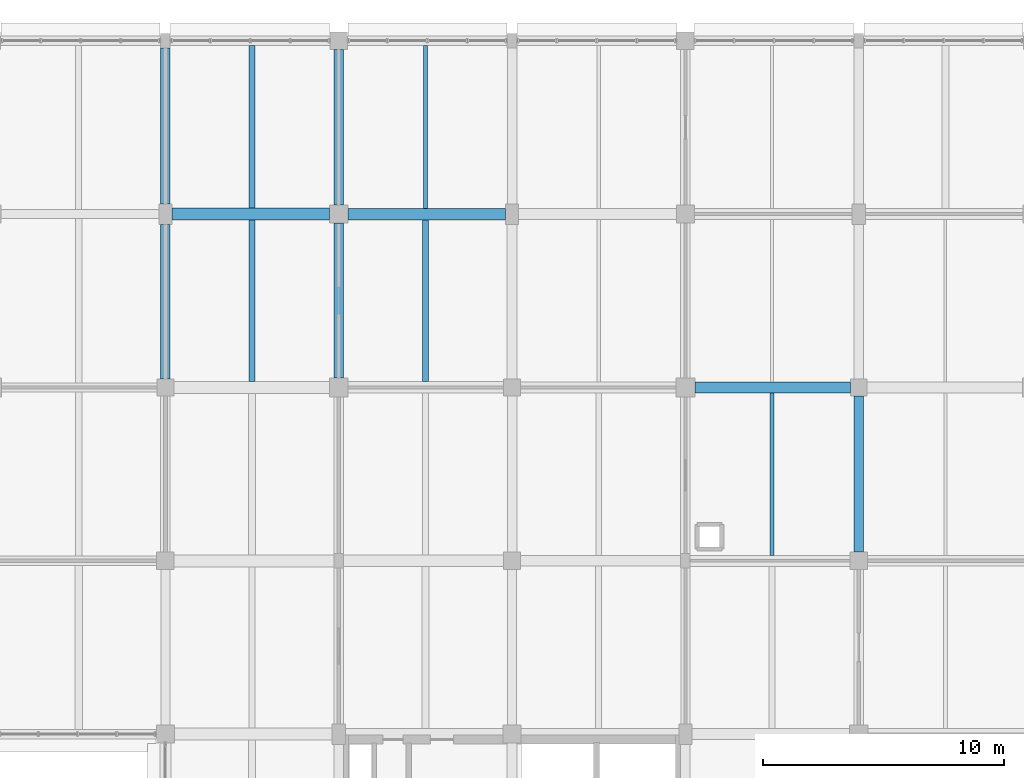
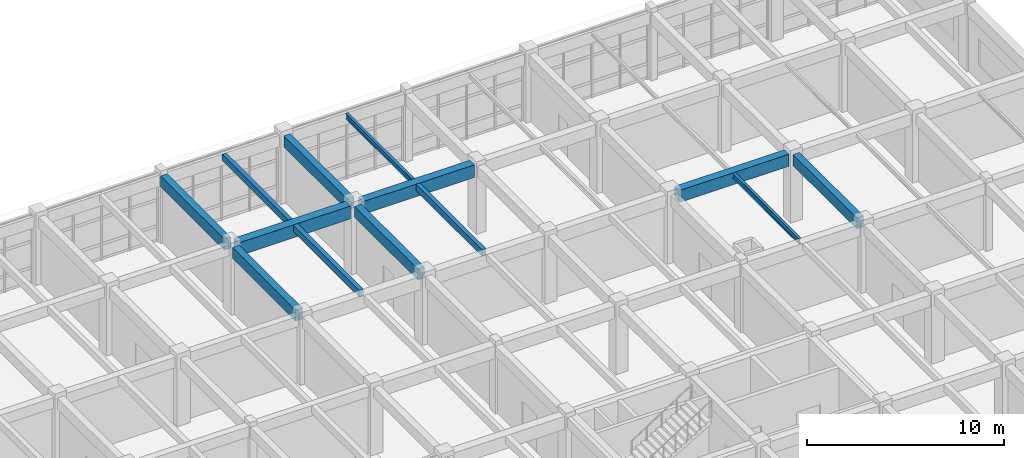
# One storey, part 111 of 171: 13 beams.
"""IFC4 building model written with IfcOpenShell, lengths in metres."""

from ifc_helpers import new_model, si_unit, direction, frame, origin, origin_2d, place, context, subcontext, project, spatial, rectangle, i_section, extrude, material, material_profile, profile_set, type_object, element, save


model = new_model("IFC4")

# Units and contexts
model_context = context("Model", 3, precision=1e-05, world=origin(), true_north=direction((0.0, 1.0)))
body_context = subcontext(model_context, "Body", "Model", "MODEL_VIEW")
ifc_project = project(units=[si_unit("LENGTHUNIT", "METRE"), si_unit("AREAUNIT", "SQUARE_METRE"), si_unit("VOLUMEUNIT", "CUBIC_METRE"), si_unit("PLANEANGLEUNIT", "RADIAN"), si_unit("MASSUNIT", "GRAM", prefix="KILO")], contexts=[model_context])

# Site, building, storey
site_placement = place(None, origin())
site = spatial("IfcSite", under=ifc_project, at=site_placement, CompositionType="ELEMENT")
building_placement = place(site_placement, origin())
building = spatial("IfcBuilding", under=site, at=building_placement, Name="Thalmaran Polytechnic", CompositionType="ELEMENT")
storey_placement = place(building_placement, frame((0.0, 0.0, 5.39990234375)))
storey = spatial("IfcBuildingStorey", under=building, at=storey_placement, Name="L01", CompositionType="ELEMENT", Elevation=5.39990234375)

# Beams
ifc_material_1 = material(Name="Concrete C40/50", Category="concrete")
ifc_material_profile_1 = material_profile(ifc_material_1, rectangle(XDim=0.5, YDim=0.800048828125, at=origin_2d()), Name="RC 500x800")
ifc_profile_set_1 = profile_set([ifc_material_profile_1], Name="Concrete C40/50")
beam_type_1 = type_object("IfcBeamType", Name="BM-RC02", PredefinedType="BEAM", material=ifc_profile_set_1)
beam_1_placement = place(storey_placement, frame((129.875, 115.199951171875, 3.81005859375), z_axis=(1.0, 0.0, 0.0), x_axis=(0.0, 1.0, 0.0)))
element("IfcBeam", 1, at=beam_1_placement, inside=storey, type_object=beam_type_1, Name="Grid Beam B02 L01 X(18,16)", PredefinedType="BEAM", context=body_context, shape_type="SweptSolid", body=[
    extrude(rectangle(XDim=0.5, YDim=0.800048828125, at=origin_2d()), origin(), (0.0, 0.0, 1.0), 6.550048828125),
])
ifc_material_profile_2 = material_profile(ifc_material_1, rectangle(XDim=0.389892578125, YDim=0.68505859375, at=origin_2d()), Name="RC 390x685")
ifc_profile_set_2 = profile_set([ifc_material_profile_2], Name="Concrete C40/50")
beam_type_2 = type_object("IfcBeamType", Name="BM-RC08", PredefinedType="BEAM", material=ifc_profile_set_2)
beam_2_placement = place(storey_placement, frame((158.39990234375, 101.159912109375, 3.86767578125), z_axis=(0.0, 1.0, 0.0), x_axis=(-1.0, 0.0, 0.0)))
element("IfcBeam", 2, at=beam_2_placement, inside=storey, type_object=beam_type_2, Name="Grid Beam B08 L01 Y(22,14)", PredefinedType="BEAM", context=body_context, shape_type="SweptSolid", body=[
    extrude(rectangle(XDim=0.389892578125, YDim=0.68505859375, at=origin_2d()), origin(), (0.0, 0.0, 1.0), 6.489990234375),
])
ifc_material_profile_3 = material_profile(ifc_material_1, rectangle(XDim=0.389892578125, YDim=0.68994140625, at=origin_2d()), Name="RC 390x690")
ifc_profile_set_3 = profile_set([ifc_material_profile_3], Name="Concrete C40/50")
beam_type_3 = type_object("IfcBeamType", Name="BM-RC09", PredefinedType="BEAM", material=ifc_profile_set_3)
beam_3_placement = place(storey_placement, frame((129.60009765625, 115.625, 3.864990234375), z_axis=(0.0, 1.0, 0.0), x_axis=(-1.0, 0.0, 0.0)))
element("IfcBeam", 3, at=beam_3_placement, inside=storey, type_object=beam_type_3, Name="Grid Beam B09 L01 Y(18,16)", PredefinedType="BEAM", context=body_context, shape_type="SweptSolid", body=[
    extrude(rectangle(XDim=0.389892578125, YDim=0.68994140625, at=origin_2d()), origin(), (0.0, 0.0, 1.0), 6.47509765625),
])
beam_4_placement = place(storey_placement, frame((136.800048828125, 115.574951171875, 3.864990234375), z_axis=(0.0, 1.0, 0.0), x_axis=(-1.0, 0.0, 0.0)))
element("IfcBeam", 4, at=beam_4_placement, inside=storey, type_object=beam_type_3, Name="Grid Beam B09 L01 Y(19,16)", PredefinedType="BEAM", context=body_context, shape_type="SweptSolid", body=[
    extrude(rectangle(XDim=0.389892578125, YDim=0.68994140625, at=origin_2d()), origin(), (0.0, 0.0, 1.0), 6.465087890625),
])
ifc_material_2 = material(Name="Steel S355", Category="steel")
ifc_material_profile_4 = material_profile(ifc_material_2, i_section(OverallWidth=0.159912109375, OverallDepth=0.330078125, WebThickness=0.007568359375, FlangeThickness=0.011474609375, at=origin_2d()), Name="IPE 330")
ifc_profile_set_4 = profile_set([ifc_material_profile_4], Name="Steel S355")
beam_type_4 = type_object("IfcBeamType", Name="BM-SJ02", PredefinedType="JOIST", material=ifc_profile_set_4)
beam_5_placement = place(storey_placement, frame((140.39990234375, 115.43994140625, 4.045166015625), z_axis=(0.0, 1.0, 0.0), x_axis=(-1.0, 0.0, 0.0)))
element("IfcBeam", 5, at=beam_5_placement, inside=storey, type_object=beam_type_4, Name="Secondary Floor Rib SJ02 L01 (19,16)", PredefinedType="JOIST", context=body_context, shape_type="SweptSolid", body=[
    extrude(i_section(OverallWidth=0.159912109375, OverallDepth=0.330078125, WebThickness=0.007568359375, FlangeThickness=0.011474609375, at=origin_2d()), origin(), (0.0, 0.0, 1.0), 6.760009765625),
])
beam_6_placement = place(storey_placement, frame((154.800048828125, 101.030029296875, 4.045166015625), z_axis=(0.0, 1.0, 0.0), x_axis=(-1.0, 0.0, 0.0)))
element("IfcBeam", 6, at=beam_6_placement, inside=storey, type_object=beam_type_4, Name="Secondary Floor Rib SJ02 L01 (21,14)", PredefinedType="JOIST", context=body_context, shape_type="SweptSolid", body=[
    extrude(i_section(OverallWidth=0.159912109375, OverallDepth=0.330078125, WebThickness=0.007568359375, FlangeThickness=0.011474609375, at=origin_2d()), origin(), (0.0, 0.0, 1.0), 6.739990234375),
])
ifc_material_profile_5 = material_profile(ifc_material_1, rectangle(XDim=0.47998046875, YDim=0.780029296875, at=origin_2d()), Name="RC 480x780")
ifc_profile_set_5 = profile_set([ifc_material_profile_5], Name="Concrete C40/50")
beam_type_5 = type_object("IfcBeamType", Name="BM-ZB01", PredefinedType="BEAM", material=ifc_profile_set_5)
beam_7_placement = place(storey_placement, frame((137.175048828125, 115.199951171875, 3.820068359375), z_axis=(1.0, 0.0, 0.0), x_axis=(0.0, 1.0, 0.0)))
element("IfcBeam", 7, at=beam_7_placement, inside=storey, type_object=beam_type_5, Name="Grid Beam ZB01 L01 X(19,16)", PredefinedType="BEAM", context=body_context, shape_type="SweptSolid", body=[
    extrude(rectangle(XDim=0.47998046875, YDim=0.780029296875, at=origin_2d()), origin(), (0.0, 0.0, 1.0), 6.550048828125),
])
ifc_material_profile_6 = material_profile(ifc_material_1, rectangle(XDim=0.4599609375, YDim=0.739990234375, at=origin_2d()), Name="RC 460x740")
ifc_profile_set_6 = profile_set([ifc_material_profile_6], Name="Concrete C40/50")
beam_type_6 = type_object("IfcBeamType", Name="BM-ZB02", PredefinedType="BEAM", material=ifc_profile_set_6)
beam_8_placement = place(storey_placement, frame((151.590087890625, 108.0, 3.840087890625), z_axis=(1.0, 0.0, 0.0), x_axis=(0.0, 1.0, 0.0)))
element("IfcBeam", 8, at=beam_8_placement, inside=storey, type_object=beam_type_6, Name="Grid Beam ZB02 L01 X(21,15)", PredefinedType="BEAM", context=body_context, shape_type="SweptSolid", body=[
    extrude(rectangle(XDim=0.4599609375, YDim=0.739990234375, at=origin_2d()), origin(), (0.0, 0.0, 1.0), 6.4599609375),
])
ifc_material_profile_7 = material_profile(ifc_material_1, rectangle(XDim=0.39990234375, YDim=0.68505859375, at=origin_2d()), Name="RC 400x685")
ifc_profile_set_7 = profile_set([ifc_material_profile_7], Name="Concrete C40/50")
beam_type_7 = type_object("IfcBeamType", Name="BM-ZB07", PredefinedType="BEAM", material=ifc_profile_set_7)
beam_9_placement = place(storey_placement, frame((129.60009765625, 108.35009765625, 3.86767578125), z_axis=(0.0, 1.0, 0.0), x_axis=(-1.0, 0.0, 0.0)))
element("IfcBeam", 9, at=beam_9_placement, inside=storey, type_object=beam_type_7, Name="Grid Beam ZB07 L01 Y(18,15)", PredefinedType="BEAM", context=body_context, shape_type="SweptSolid", body=[
    extrude(rectangle(XDim=0.39990234375, YDim=0.68505859375, at=origin_2d()), origin(), (0.0, 0.0, 1.0), 6.4248046875),
])
beam_10_placement = place(storey_placement, frame((136.800048828125, 108.389892578125, 3.86767578125), z_axis=(0.0, 1.0, 0.0), x_axis=(-1.0, 0.0, 0.0)))
element("IfcBeam", 10, at=beam_10_placement, inside=storey, type_object=beam_type_7, Name="Grid Beam ZB07 L01 Y(19,15)", PredefinedType="BEAM", context=body_context, shape_type="SweptSolid", body=[
    extrude(rectangle(XDim=0.39990234375, YDim=0.68505859375, at=origin_2d()), origin(), (0.0, 0.0, 1.0), 6.43505859375),
])
ifc_material_profile_8 = material_profile(ifc_material_1, rectangle(XDim=0.25, YDim=0.419921875, at=origin_2d()), Name="RC 250x420")
ifc_profile_set_8 = profile_set([ifc_material_profile_8], Name="Concrete C40/50")
beam_type_8 = type_object("IfcBeamType", Name="BM-ZJ03", PredefinedType="JOIST", material=ifc_profile_set_8)
beam_11_placement = place(storey_placement, frame((133.199951171875, 108.25, 4.0), z_axis=(0.0, 1.0, 0.0), x_axis=(-1.0, 0.0, 0.0)))
element("IfcBeam", 11, at=beam_11_placement, inside=storey, type_object=beam_type_8, Name="Secondary Floor Rib ZJ03 L01 (18,15)", PredefinedType="JOIST", context=body_context, shape_type="SweptSolid", body=[
    extrude(rectangle(XDim=0.25, YDim=0.419921875, at=origin_2d()), origin(), (0.0, 0.0, 1.0), 6.699951171875),
])
ifc_material_profile_9 = material_profile(ifc_material_1, rectangle(XDim=0.239990234375, YDim=0.39990234375, at=origin_2d()), Name="RC 240x400")
ifc_profile_set_9 = profile_set([ifc_material_profile_9], Name="Concrete C40/50")
beam_type_9 = type_object("IfcBeamType", Name="BM-ZJ04", PredefinedType="JOIST", material=ifc_profile_set_9)
beam_12_placement = place(storey_placement, frame((133.199951171875, 115.449951171875, 4.010009765625), z_axis=(0.0, 1.0, 0.0), x_axis=(-1.0, 0.0, 0.0)))
element("IfcBeam", 12, at=beam_12_placement, inside=storey, type_object=beam_type_9, Name="Secondary Floor Rib ZJ04 L01 (18,16)", PredefinedType="JOIST", context=body_context, shape_type="SweptSolid", body=[
    extrude(rectangle(XDim=0.239990234375, YDim=0.39990234375, at=origin_2d()), origin(), (0.0, 0.0, 1.0), 6.75),
])
beam_13_placement = place(storey_placement, frame((140.39990234375, 108.239990234375, 4.010009765625), z_axis=(0.0, 1.0, 0.0), x_axis=(-1.0, 0.0, 0.0)))
element("IfcBeam", 13, at=beam_13_placement, inside=storey, type_object=beam_type_9, Name="Secondary Floor Rib ZJ04 L01 (19,15)", PredefinedType="JOIST", context=body_context, shape_type="SweptSolid", body=[
    extrude(rectangle(XDim=0.239990234375, YDim=0.39990234375, at=origin_2d()), origin(), (0.0, 0.0, 1.0), 6.719970703125),
])

save(model, "model.ifc")
